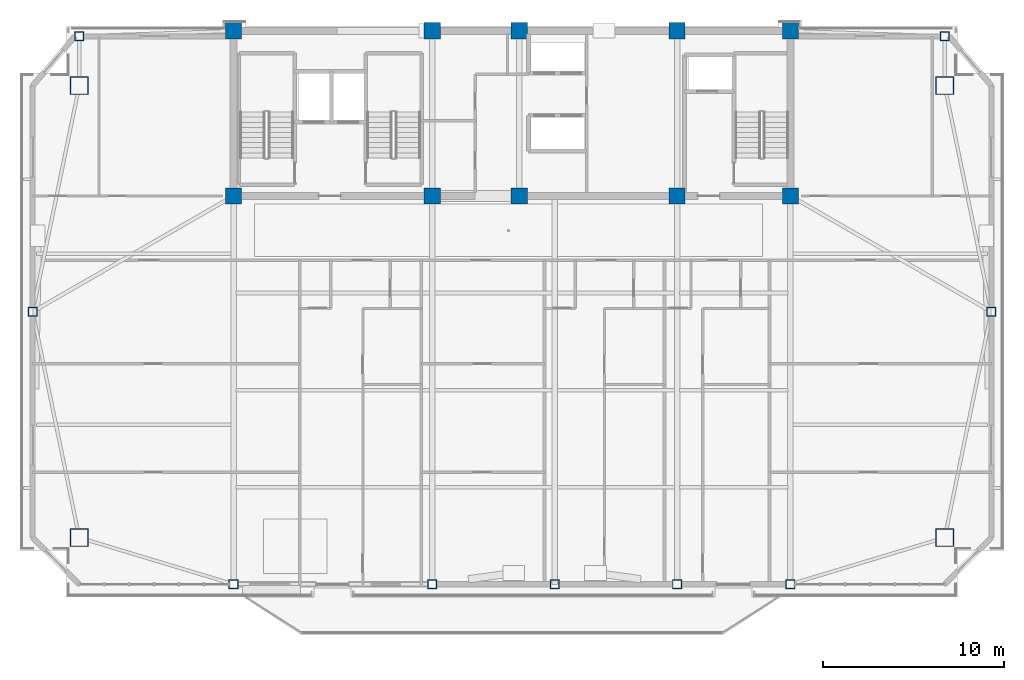
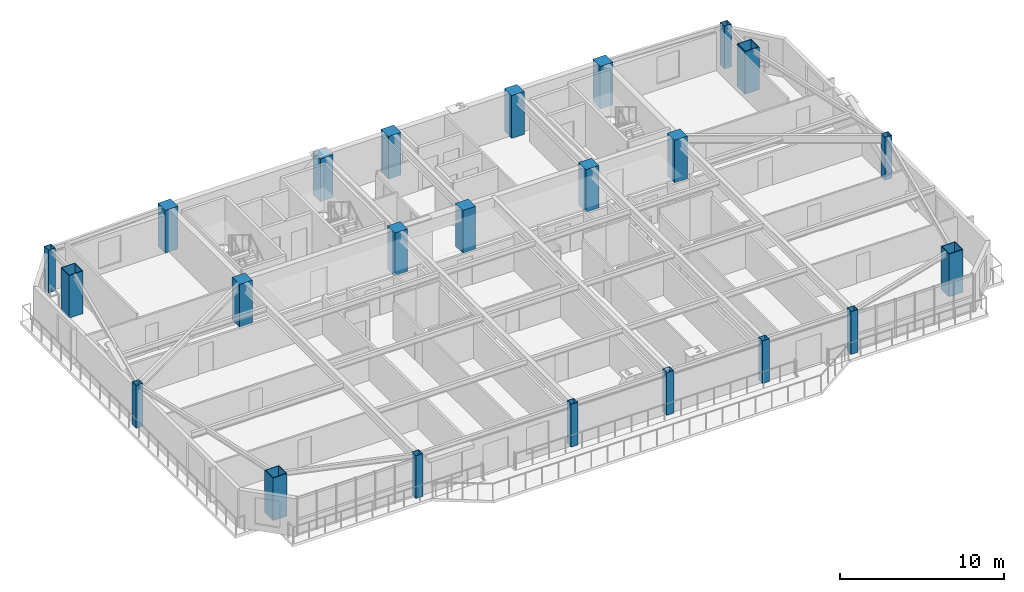
# One storey, part 1 of 18: 23 columns.
"""IFC4 building model written with IfcOpenShell, lengths in metres."""

from ifc_helpers import new_model, si_unit, direction, frame, origin, origin_2d, place, context, subcontext, project, spatial, rectangle, hollow_rectangle, extrude, source, transform, mapped, material, material_profile, profile_set, type_object, element, save


model = new_model("IFC4")

# Units and contexts
model_context = context("Model", 3, precision=1e-05, world=origin(), true_north=direction((0.0, 1.0)))
body_context = subcontext(model_context, "Body", "Model", "MODEL_VIEW")
ifc_project = project(units=[si_unit("LENGTHUNIT", "METRE"), si_unit("AREAUNIT", "SQUARE_METRE"), si_unit("VOLUMEUNIT", "CUBIC_METRE"), si_unit("PLANEANGLEUNIT", "RADIAN"), si_unit("MASSUNIT", "GRAM", prefix="KILO")], contexts=[model_context])

# Site, building, storey
site_placement = place(None, origin())
site = spatial("IfcSite", under=ifc_project, at=site_placement, CompositionType="ELEMENT")
building_placement = place(site_placement, origin())
building = spatial("IfcBuilding", under=site, at=building_placement, Name="Giltprow Tower", CompositionType="ELEMENT")
storey_placement = place(building_placement, frame((0.0, 0.0, 262.10009765625)))
storey = spatial("IfcBuildingStorey", under=building, at=storey_placement, Name="L67", CompositionType="ELEMENT", Elevation=262.10009765625)

# Columns
ifc_material_1 = material(Name="Concrete C45", Category="concrete")
ifc_material_profile_1 = material_profile(ifc_material_1, rectangle(XDim=0.89990234375, YDim=0.89990234375, at=origin_2d()), Name="RC 900x900")
ifc_profile_set_1 = profile_set([ifc_material_profile_1], Name="Concrete C45")
column_type_1 = type_object("IfcColumnType", Name="PIL-RC-900-C45", PredefinedType="PILASTER", material=ifc_profile_set_1)
shared_shape_1 = source(origin(), body_context, "Body", "SweptSolid", [
    extrude(rectangle(XDim=0.89990234375, YDim=0.89990234375, at=origin_2d()), origin(), (0.0, 0.0, 1.0), 3.184814453125),
])
for number, where, z_axis, x_axis, name in (
    (1, (19.85009765625, 37.449951171875, 0.0), (0.0, 0.0, 1.0), (1.0, 0.0, 0.0), "L67 Core Boundary Pilaster 1-1"),
    (2, (19.85009765625, 46.550048828125, 0.0), (0.0, 0.0, 1.0), (1.0, 0.0, 0.0), "L67 Core Boundary Pilaster 1-2"),
    (3, (30.800048828125, 37.449951171875, 0.0), (0.0, 0.0, 1.0), (1.0, 0.0, 0.0), "L67 Core Boundary Pilaster 2-1"),
    (4, (30.800048828125, 46.550048828125, 0.0), (0.0, 0.0, 1.0), (1.0, 0.0, 0.0), "L67 Core Boundary Pilaster 2-2"),
    (5, (35.60009765625, 37.449951171875, 0.0), (0.0, 0.0, 1.0), (1.0, 0.0, 0.0), "L67 Core Boundary Pilaster 3-1"),
    (6, (35.60009765625, 46.550048828125, 0.0), (0.0, 0.0, 1.0), (1.0, 0.0, 0.0), "L67 Core Boundary Pilaster 3-2"),
    (7, (44.300048828125, 37.449951171875, 0.0), (0.0, 0.0, 1.0), (1.0, 0.0, 0.0), "L67 Core Boundary Pilaster 4-1"),
    (8, (44.300048828125, 46.550048828125, 0.0), (0.0, 0.0, 1.0), (1.0, 0.0, 0.0), "L67 Core Boundary Pilaster 4-2"),
    (9, (50.550048828125, 37.449951171875, 0.0), (0.0, 0.0, 1.0), (1.0, 0.0, 0.0), "L67 Core Boundary Pilaster 5-1"),
    (10, (50.550048828125, 46.550048828125, 0.0), (0.0, 0.0, 1.0), (1.0, 0.0, 0.0), "L67 Core Boundary Pilaster 5-2"),
):
    element("IfcColumn", number, at=place(storey_placement, frame(where, z_axis=z_axis, x_axis=x_axis)), inside=storey, type_object=column_type_1, Name=name, PredefinedType="PILASTER", context=body_context, shape_type="MappedRepresentation", body=[
        mapped(shared_shape_1, transform((0.0, 0.0, 0.0), x_axis=(1.0, 0.0, 0.0), y_axis=(0.0, 1.0, 0.0), z_axis=(0.0, 0.0, 1.0), scale=1.0)),
    ])
ifc_material_2 = material(Name="Structural steel Q420GJC", Category="steel")
ifc_material_profile_2 = material_profile(ifc_material_2, hollow_rectangle(XDim=1.0, YDim=1.0, WallThickness=0.044921875, at=origin_2d()), Name="BOX 1000x1000x45")
ifc_profile_set_2 = profile_set([ifc_material_profile_2], Name="Structural steel Q420GJC")
column_type_2 = type_object("IfcColumnType", Name="COL-BOX-1000x1000x45", PredefinedType="COLUMN", material=ifc_profile_set_2)
shared_shape_2 = source(origin(), body_context, "Body", "SweptSolid", [
    extrude(hollow_rectangle(XDim=1.0, YDim=1.0, WallThickness=0.044921875, at=origin_2d()), origin(), (0.0, 0.0, 1.0), 3.184814453125),
])
for number, where, z_axis, x_axis, name in (
    (11, (11.347900390625, 18.614013671875, 0.0), (0.0, 0.0, 1.0), (1.0, 0.0, 0.0), "L67 Mega-Column MC_SW"),
    (12, (59.052978515625, 18.614013671875, 0.0), (0.0, 0.0, 1.0), (1.0, 0.0, 0.0), "L67 Mega-Column MC_SE"),
    (13, (11.347900390625, 43.530029296875, 0.0), (0.0, 0.0, 1.0), (1.0, 0.0, 0.0), "L67 Mega-Column MC_NW"),
    (14, (59.052978515625, 43.530029296875, 0.0), (0.0, 0.0, 1.0), (1.0, 0.0, 0.0), "L67 Mega-Column MC_NE"),
):
    element("IfcColumn", number, at=place(storey_placement, frame(where, z_axis=z_axis, x_axis=x_axis)), inside=storey, type_object=column_type_2, Name=name, PredefinedType="COLUMN", context=body_context, shape_type="MappedRepresentation", body=[
        mapped(shared_shape_2, transform((0.0, 0.0, 0.0), x_axis=(1.0, 0.0, 0.0), y_axis=(0.0, 1.0, 0.0), z_axis=(0.0, 0.0, 1.0), scale=1.0)),
    ])
ifc_material_3 = material(Name="Structural steel Q355B", Category="steel")
ifc_material_profile_3 = material_profile(ifc_material_3, hollow_rectangle(XDim=0.5, YDim=0.5, WallThickness=0.02392578125, at=origin_2d()), Name="BOX 500x500x24")
ifc_profile_set_3 = profile_set([ifc_material_profile_3], Name="Structural steel Q355B")
column_type_3 = type_object("IfcColumnType", Name="COL-BOX-500x500x24", PredefinedType="COLUMN", material=ifc_profile_set_3)
shared_shape_3 = source(origin(), body_context, "Body", "SweptSolid", [
    extrude(hollow_rectangle(XDim=0.5, YDim=0.5, WallThickness=0.02392578125, at=origin_2d()), origin(), (0.0, 0.0, 1.0), 3.184814453125),
])
for number, where, z_axis, x_axis, name in (
    (15, (19.85009765625, 16.044921875, 0.0), (0.0, 0.0, 1.0), (1.0, 0.0, 0.0), "L67 Perimeter Column S1"),
    (16, (30.800048828125, 16.044921875, 0.0), (0.0, 0.0, 1.0), (1.0, 0.0, 0.0), "L67 Perimeter Column S2"),
    (17, (37.550048828125, 16.044921875, 0.0), (0.0, 0.0, 1.0), (1.0, 0.0, 0.0), "L67 Perimeter Column S_MID"),
    (18, (44.300048828125, 16.044921875, 0.0), (0.0, 0.0, 1.0), (1.0, 0.0, 0.0), "L67 Perimeter Column S3"),
    (19, (50.550048828125, 16.044921875, 0.0), (0.0, 0.0, 1.0), (1.0, 0.0, 0.0), "L67 Perimeter Column S4"),
    (20, (8.779052734375, 31.072021484375, 0.0), (0.0, 0.0, 1.0), (1.0, 0.0, 0.0), "L67 Perimeter Column W_MID"),
    (21, (61.6220703125, 31.072021484375, 0.0), (0.0, 0.0, 1.0), (1.0, 0.0, 0.0), "L67 Perimeter Column E_MID"),
    (22, (11.347900390625, 46.25, 0.0), (0.0, 0.0, 1.0), (1.0, 0.0, 0.0), "L67 Perimeter Column N_W"),
    (23, (59.052978515625, 46.25, 0.0), (0.0, 0.0, 1.0), (1.0, 0.0, 0.0), "L67 Perimeter Column N_E"),
):
    element("IfcColumn", number, at=place(storey_placement, frame(where, z_axis=z_axis, x_axis=x_axis)), inside=storey, type_object=column_type_3, Name=name, PredefinedType="COLUMN", context=body_context, shape_type="MappedRepresentation", body=[
        mapped(shared_shape_3, transform((0.0, 0.0, 0.0), x_axis=(1.0, 0.0, 0.0), y_axis=(0.0, 1.0, 0.0), z_axis=(0.0, 0.0, 1.0), scale=1.0)),
    ])

save(model, "model.ifc")
